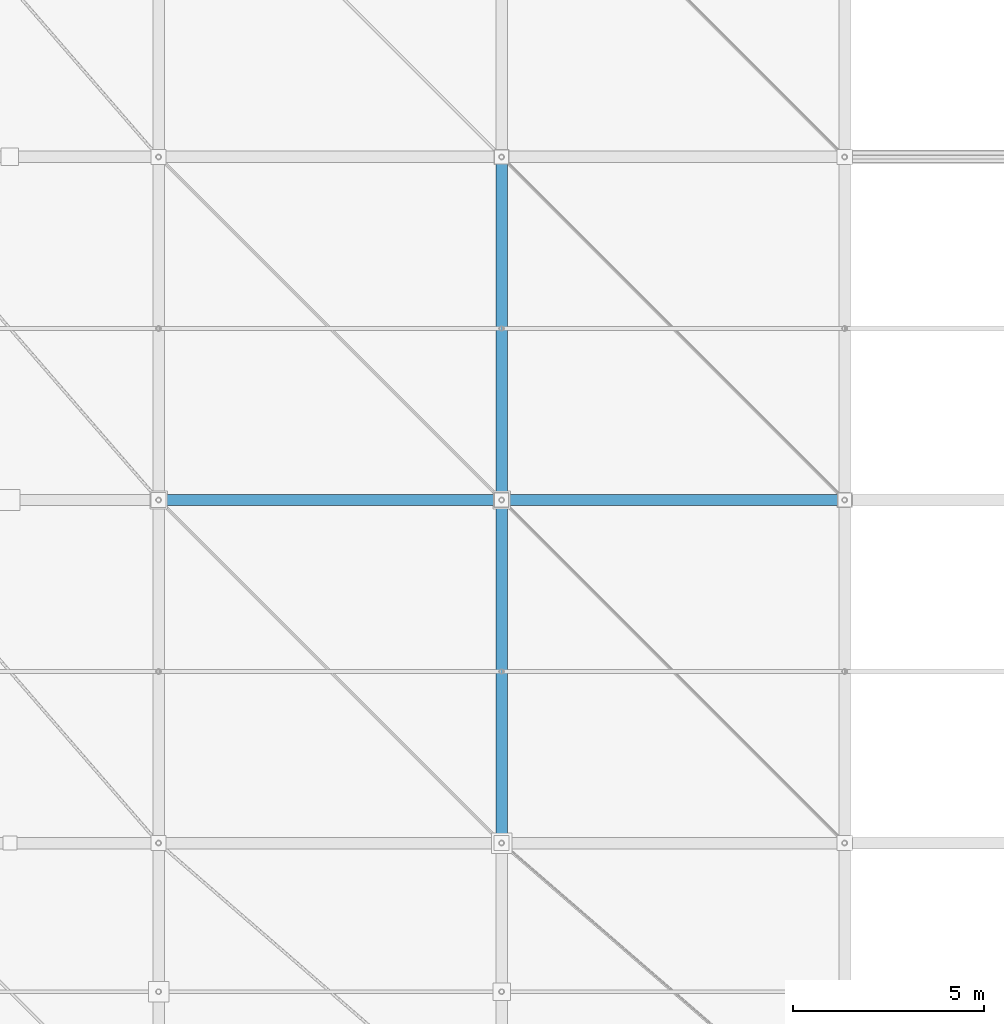
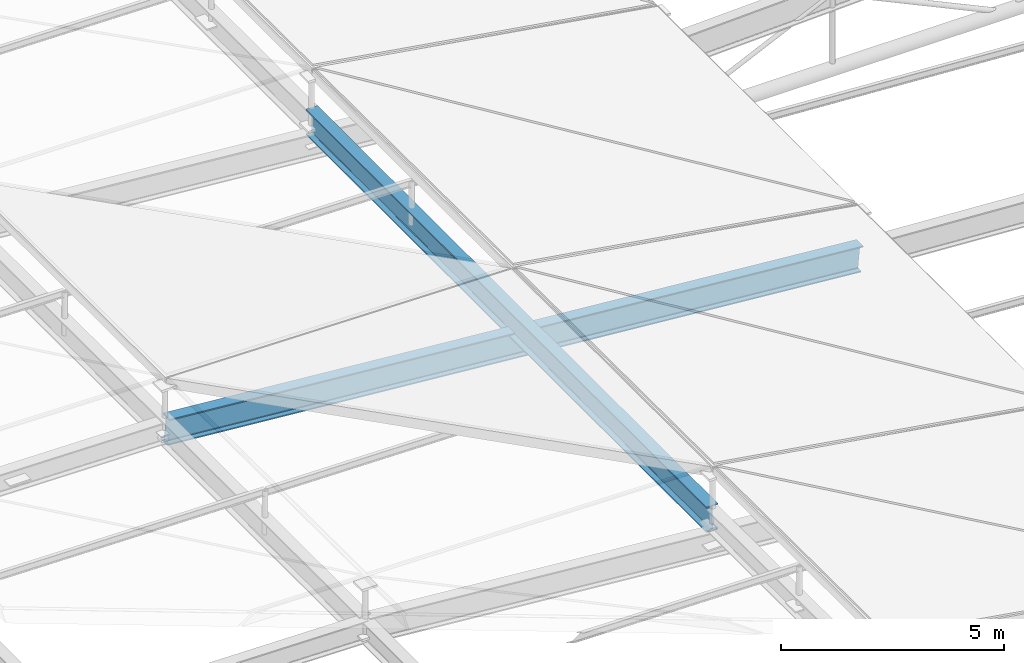
# One storey, part 9 of 80: 2 beams.
"""IFC4 building model written with IfcOpenShell, lengths in metres."""

from ifc_helpers import new_model, si_unit, direction, frame, origin, origin_2d, place, context, subcontext, project, spatial, i_section, extrude, material, material_profile, profile_set, type_object, element, save


model = new_model("IFC4")

# Units and contexts
model_context = context("Model", 3, precision=1e-05, world=origin(), true_north=direction((0.0, 1.0)))
body_context = subcontext(model_context, "Body", "Model", "MODEL_VIEW")
ifc_project = project(units=[si_unit("LENGTHUNIT", "METRE"), si_unit("AREAUNIT", "SQUARE_METRE"), si_unit("VOLUMEUNIT", "CUBIC_METRE"), si_unit("PLANEANGLEUNIT", "RADIAN"), si_unit("MASSUNIT", "GRAM", prefix="KILO")], contexts=[model_context])

# Site, building, storey
site_placement = place(None, origin())
site = spatial("IfcSite", under=ifc_project, at=site_placement, CompositionType="ELEMENT")
building_placement = place(site_placement, origin())
building = spatial("IfcBuilding", under=site, at=building_placement, Name="Barlavento Convention Centre", CompositionType="ELEMENT")
storey_placement = place(building_placement, frame((0.0, 0.0, 29.800048828125)))
storey = spatial("IfcBuildingStorey", under=building, at=storey_placement, Name="RF", CompositionType="ELEMENT", Elevation=29.800048828125)

# Beams
ifc_material = material(Name="Steel S460", Category="steel")
ifc_material_profile = material_profile(ifc_material, i_section(OverallWidth=0.300048828125, OverallDepth=0.699951171875, WebThickness=0.01708984375, FlangeThickness=0.031982421875, FilletRadius=0.027099609375, at=origin_2d()), Name="HEB 700")
ifc_profile_set = profile_set([ifc_material_profile], Name="Steel S460")
beam_type = type_object("IfcBeamType", Name="STR-BM-TRUSS-TOP-HEB700", PredefinedType="BEAM", material=ifc_profile_set)
beam_1_placement = place(storey_placement, frame((0.0048828125, 9.0, 0.286865234375), z_axis=(0.996341025885, 0.0, -0.085466719474), x_axis=(0.0, 1.0, 0.0)))
element("IfcBeam", 1, at=beam_1_placement, inside=storey, type_object=beam_type, Name="Congress roof truss space frame chord", PredefinedType="BEAM", context=body_context, shape_type="SweptSolid", body=[
    extrude(i_section(OverallWidth=0.300048828125, OverallDepth=0.699951171875, WebThickness=0.01708984375, FlangeThickness=0.031982421875, FilletRadius=0.027099609375, at=origin_2d()), origin(), (0.0, 0.0, 1.0), 18.056396484375),
])
beam_2_placement = place(storey_placement, frame((9.0, 0.0048828125, 0.15625), z_axis=(0.0, 1.0, 0.0), x_axis=(-1.0, 0.0, 0.0)))
element("IfcBeam", 2, at=beam_2_placement, inside=storey, type_object=beam_type, Name="Congress roof truss space frame chord", PredefinedType="BEAM", context=body_context, shape_type="SweptSolid", body=[
    extrude(i_section(OverallWidth=0.300048828125, OverallDepth=0.699951171875, WebThickness=0.01708984375, FlangeThickness=0.031982421875, FilletRadius=0.027099609375, at=origin_2d()), origin(), (0.0, 0.0, 1.0), 17.990234375),
])

save(model, "model.ifc")
